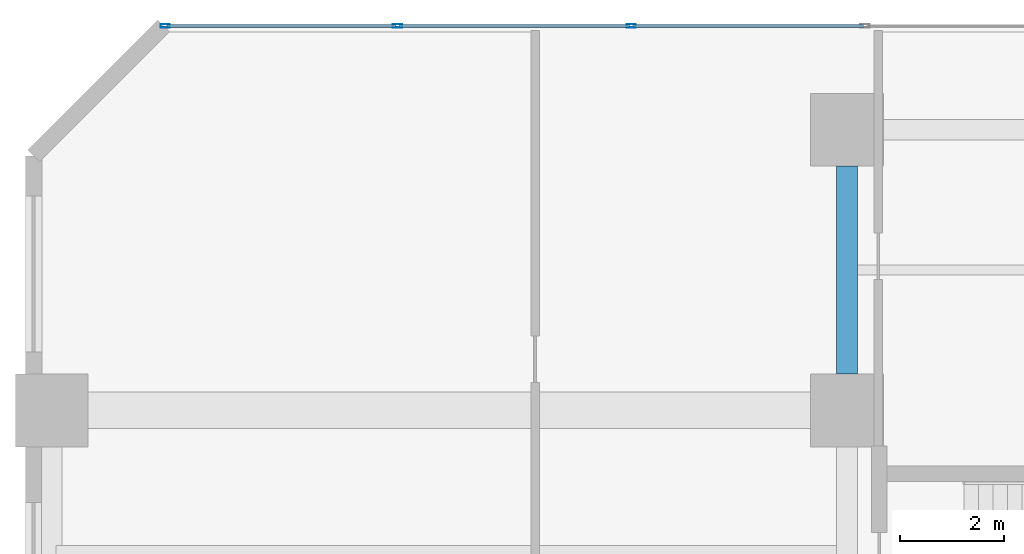
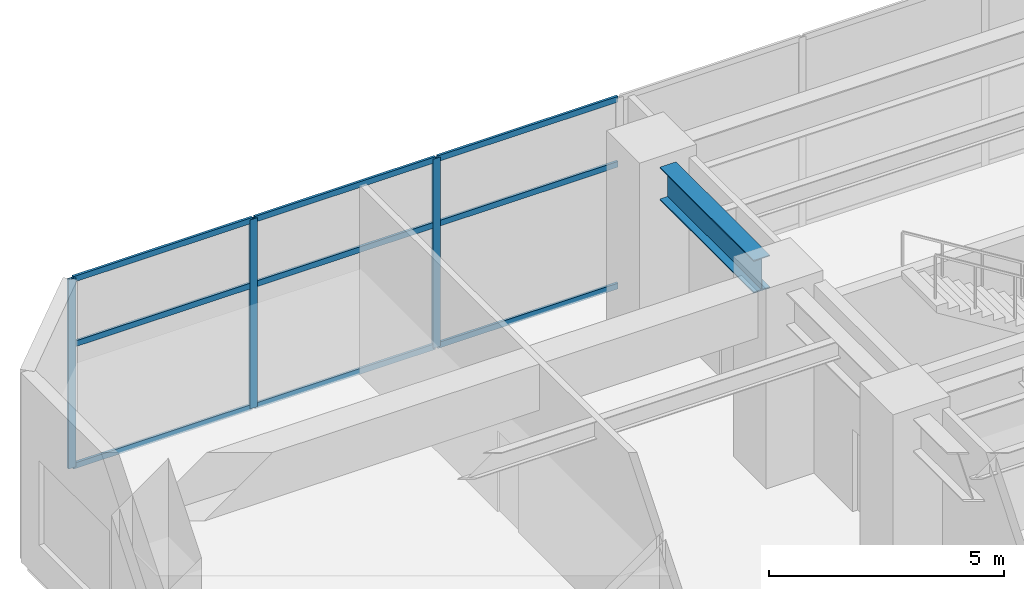
# One storey, part 6 of 22: 12 members, 1 beam, 1 element without a shape of its own.
"""IFC4 building model written with IfcOpenShell, lengths in metres."""

from ifc_helpers import new_model, si_unit, direction, frame, origin, origin_2d, place, context, subcontext, project, spatial, hollow_rectangle, i_section, extrude, material, layer, layer_set, material_profile, profile_set, type_object, element, aggregate, save


model = new_model("IFC4")

# Units and contexts
model_context = context("Model", 3, precision=1e-05, world=origin(), true_north=direction((0.0, 1.0)))
body_context = subcontext(model_context, "Body", "Model", "MODEL_VIEW")
ifc_project = project(units=[si_unit("LENGTHUNIT", "METRE"), si_unit("AREAUNIT", "SQUARE_METRE"), si_unit("VOLUMEUNIT", "CUBIC_METRE"), si_unit("PLANEANGLEUNIT", "RADIAN"), si_unit("MASSUNIT", "GRAM", prefix="KILO")], contexts=[model_context])

# Site, building, storey
site_placement = place(None, origin())
site = spatial("IfcSite", under=ifc_project, at=site_placement, CompositionType="ELEMENT")
building_placement = place(site_placement, origin())
building = spatial("IfcBuilding", under=site, at=building_placement, Name="Mawjaban Terraces University", CompositionType="ELEMENT")
storey_placement = place(building_placement, frame((0.0, 0.0, 10.39990234375)))
storey = spatial("IfcBuildingStorey", under=building, at=storey_placement, Name="L02", CompositionType="ELEMENT", Elevation=10.39990234375)

# Beam
ifc_material_1 = material(Name="Steel ASTM A572 Grade 50", Category="steel")
ifc_material_profile_1 = material_profile(ifc_material_1, i_section(OverallWidth=0.39990234375, OverallDepth=0.85498046875, WebThickness=0.018310546875, FlangeThickness=0.029296875, at=origin_2d()), Name="W840X299")
ifc_profile_set_1 = profile_set([ifc_material_profile_1], Name="Steel ASTM A572 Grade 50")
beam_type = type_object("IfcBeamType", Name="Beam_B_W840X299", PredefinedType="BEAM", material=ifc_profile_set_1)
beam_placement = place(storey_placement, frame((37.64990234375, 47.300048828125, 4.4931640625), z_axis=(0.0, 1.0, 0.0), x_axis=(-1.0, 0.0, 0.0)))
element("IfcBeam", 1, at=beam_placement, inside=storey, type_object=beam_type, Name="L02 Beam BM-L02-NS-12", PredefinedType="BEAM", context=body_context, shape_type="SweptSolid", body=[
    extrude(i_section(OverallWidth=0.39990234375, OverallDepth=0.85498046875, WebThickness=0.018310546875, FlangeThickness=0.029296875, at=origin_2d()), origin(), (0.0, 0.0, 1.0), 4.0),
])

# Curtain wall, members
ifc_material_2 = material(Name="Anodised aluminium 6063-T6 and solar-control low-E glass", Category="aluminium")
ifc_layer = layer(ifc_material_2, 0.179931640625)
ifc_layer_set = layer_set([ifc_layer], Name="Anodised aluminium 6063-T6 and solar-control low-E glass")
curtain_wall_type = type_object("IfcCurtainWallType", Name="CWSystem_01_PlazaFoyer", PredefinedType="NOTDEFINED", material=ifc_layer_set)
curtain_wall_placement = place(storey_placement, origin())
curtain_wall = element("IfcCurtainWall", 2, at=curtain_wall_placement, inside=storey, type_object=curtain_wall_type, Name="L02 Curtain Wall CW-01 Run 8.1", PredefinedType="NOTDEFINED")
ifc_material_3 = material(Name="Anodised aluminium 6063-T6", Category="aluminium")
ifc_material_profile_2 = material_profile(ifc_material_3, hollow_rectangle(XDim=0.06494140625, YDim=0.179931640625, WallThickness=0.00390625, at=origin_2d()), Name="ALU180X65X4")
ifc_profile_set_2 = profile_set([ifc_material_profile_2], Name="Anodised aluminium 6063-T6")
member_type_1 = type_object("IfcMemberType", Name="Mullion_CW-01", PredefinedType="MULLION", material=ifc_profile_set_2)
member_1_placement = place(storey_placement, frame((33.5, 54.0, 0.0), z_axis=(0.0, 0.0, 1.0), x_axis=(0.0, -1.0, 0.0)))
member_1 = element("IfcMember", 3, at=member_1_placement, type_object=member_type_1, Name="CW-01 mullion 5", PredefinedType="MULLION", context=body_context, shape_type="SweptSolid", body=[
    extrude(hollow_rectangle(XDim=0.06494140625, YDim=0.179931640625, WallThickness=0.00390625, at=origin_2d()), origin(), (0.0, 0.0, 1.0), 4.920166015625),
])
member_2_placement = place(storey_placement, frame((29.0, 54.0, 0.0), z_axis=(0.0, 0.0, 1.0), x_axis=(0.0, -1.0, 0.0)))
member_2 = element("IfcMember", 4, at=member_2_placement, type_object=member_type_1, Name="CW-01 mullion 6", PredefinedType="MULLION", context=body_context, shape_type="SweptSolid", body=[
    extrude(hollow_rectangle(XDim=0.06494140625, YDim=0.179931640625, WallThickness=0.00390625, at=origin_2d()), origin(), (0.0, 0.0, 1.0), 4.920166015625),
])
member_3_placement = place(storey_placement, frame((24.532470703125, 54.0, 0.0), z_axis=(0.0, 0.0, 1.0), x_axis=(0.0, -1.0, 0.0)))
member_3 = element("IfcMember", 5, at=member_3_placement, type_object=member_type_1, Name="CW-01 mullion 7", PredefinedType="MULLION", context=body_context, shape_type="SweptSolid", body=[
    extrude(hollow_rectangle(XDim=0.06494140625, YDim=0.179931640625, WallThickness=0.00390625, at=origin_2d()), origin(), (0.0, 0.0, 1.0), 4.920166015625),
])
ifc_material_profile_3 = material_profile(ifc_material_3, hollow_rectangle(XDim=0.06005859375, YDim=0.14990234375, WallThickness=0.00390625, at=origin_2d()), Name="ALU150X60X4")
ifc_profile_set_3 = profile_set([ifc_material_profile_3], Name="Anodised aluminium 6063-T6")
member_type_2 = type_object("IfcMemberType", Name="Transom_CW-01", PredefinedType="NOTDEFINED", material=ifc_profile_set_3)
member_4_placement = place(storey_placement, frame((37.967529296875, 54.0, 0.030029296875), z_axis=(-1.0, 0.0, 0.0), x_axis=(0.0, -1.0, 0.0)))
member_4 = element("IfcMember", 6, at=member_4_placement, type_object=member_type_2, Name="CW-01 transom 4.1", ObjectType="TRANSOM", PredefinedType="USERDEFINED", context=body_context, shape_type="SweptSolid", body=[
    extrude(hollow_rectangle(XDim=0.06005859375, YDim=0.14990234375, WallThickness=0.00390625, at=origin_2d()), origin(), (0.0, 0.0, 1.0), 4.43505859375),
])
member_5_placement = place(storey_placement, frame((37.967529296875, 54.0, 3.197998046875), z_axis=(-1.0, 0.0, 0.0), x_axis=(0.0, -1.0, 0.0)))
member_5 = element("IfcMember", 7, at=member_5_placement, type_object=member_type_2, Name="CW-01 transom 4.2", ObjectType="TRANSOM", PredefinedType="USERDEFINED", context=body_context, shape_type="SweptSolid", body=[
    extrude(hollow_rectangle(XDim=0.06005859375, YDim=0.14990234375, WallThickness=0.00390625, at=origin_2d()), origin(), (0.0, 0.0, 1.0), 4.43505859375),
])
member_6_placement = place(storey_placement, frame((37.967529296875, 54.0, 4.89013671875), z_axis=(-1.0, 0.0, 0.0), x_axis=(0.0, -1.0, 0.0)))
member_6 = element("IfcMember", 8, at=member_6_placement, type_object=member_type_2, Name="CW-01 transom 4.3", ObjectType="TRANSOM", PredefinedType="USERDEFINED", context=body_context, shape_type="SweptSolid", body=[
    extrude(hollow_rectangle(XDim=0.06005859375, YDim=0.14990234375, WallThickness=0.00390625, at=origin_2d()), origin(), (0.0, 0.0, 1.0), 4.43505859375),
])
member_7_placement = place(storey_placement, frame((33.467529296875, 54.0, 0.030029296875), z_axis=(-1.0, 0.0, 0.0), x_axis=(0.0, -1.0, 0.0)))
member_7 = element("IfcMember", 9, at=member_7_placement, type_object=member_type_2, Name="CW-01 transom 5.1", ObjectType="TRANSOM", PredefinedType="USERDEFINED", context=body_context, shape_type="SweptSolid", body=[
    extrude(hollow_rectangle(XDim=0.06005859375, YDim=0.14990234375, WallThickness=0.00390625, at=origin_2d()), origin(), (0.0, 0.0, 1.0), 4.43505859375),
])
member_8_placement = place(storey_placement, frame((33.467529296875, 54.0, 3.197998046875), z_axis=(-1.0, 0.0, 0.0), x_axis=(0.0, -1.0, 0.0)))
member_8 = element("IfcMember", 10, at=member_8_placement, type_object=member_type_2, Name="CW-01 transom 5.2", ObjectType="TRANSOM", PredefinedType="USERDEFINED", context=body_context, shape_type="SweptSolid", body=[
    extrude(hollow_rectangle(XDim=0.06005859375, YDim=0.14990234375, WallThickness=0.00390625, at=origin_2d()), origin(), (0.0, 0.0, 1.0), 4.43505859375),
])
member_9_placement = place(storey_placement, frame((33.467529296875, 54.0, 4.89013671875), z_axis=(-1.0, 0.0, 0.0), x_axis=(0.0, -1.0, 0.0)))
member_9 = element("IfcMember", 11, at=member_9_placement, type_object=member_type_2, Name="CW-01 transom 5.3", ObjectType="TRANSOM", PredefinedType="USERDEFINED", context=body_context, shape_type="SweptSolid", body=[
    extrude(hollow_rectangle(XDim=0.06005859375, YDim=0.14990234375, WallThickness=0.00390625, at=origin_2d()), origin(), (0.0, 0.0, 1.0), 4.43505859375),
])
member_10_placement = place(storey_placement, frame((28.967529296875, 54.0, 0.030029296875), z_axis=(-1.0, 0.0, 0.0), x_axis=(0.0, -1.0, 0.0)))
member_10 = element("IfcMember", 12, at=member_10_placement, type_object=member_type_2, Name="CW-01 transom 6.1", ObjectType="TRANSOM", PredefinedType="USERDEFINED", context=body_context, shape_type="SweptSolid", body=[
    extrude(hollow_rectangle(XDim=0.06005859375, YDim=0.14990234375, WallThickness=0.00390625, at=origin_2d()), origin(), (0.0, 0.0, 1.0), 4.402587890625),
])
member_11_placement = place(storey_placement, frame((28.967529296875, 54.0, 3.197998046875), z_axis=(-1.0, 0.0, 0.0), x_axis=(0.0, -1.0, 0.0)))
member_11 = element("IfcMember", 13, at=member_11_placement, type_object=member_type_2, Name="CW-01 transom 6.2", ObjectType="TRANSOM", PredefinedType="USERDEFINED", context=body_context, shape_type="SweptSolid", body=[
    extrude(hollow_rectangle(XDim=0.06005859375, YDim=0.14990234375, WallThickness=0.00390625, at=origin_2d()), origin(), (0.0, 0.0, 1.0), 4.402587890625),
])
member_12_placement = place(storey_placement, frame((28.967529296875, 54.0, 4.89013671875), z_axis=(-1.0, 0.0, 0.0), x_axis=(0.0, -1.0, 0.0)))
member_12 = element("IfcMember", 14, at=member_12_placement, type_object=member_type_2, Name="CW-01 transom 6.3", ObjectType="TRANSOM", PredefinedType="USERDEFINED", context=body_context, shape_type="SweptSolid", body=[
    extrude(hollow_rectangle(XDim=0.06005859375, YDim=0.14990234375, WallThickness=0.00390625, at=origin_2d()), origin(), (0.0, 0.0, 1.0), 4.402587890625),
])
aggregate(curtain_wall, [member_1, member_2, member_3, member_4, member_5, member_6, member_7, member_8, member_9, member_10, member_11, member_12])

save(model, "model.ifc")
